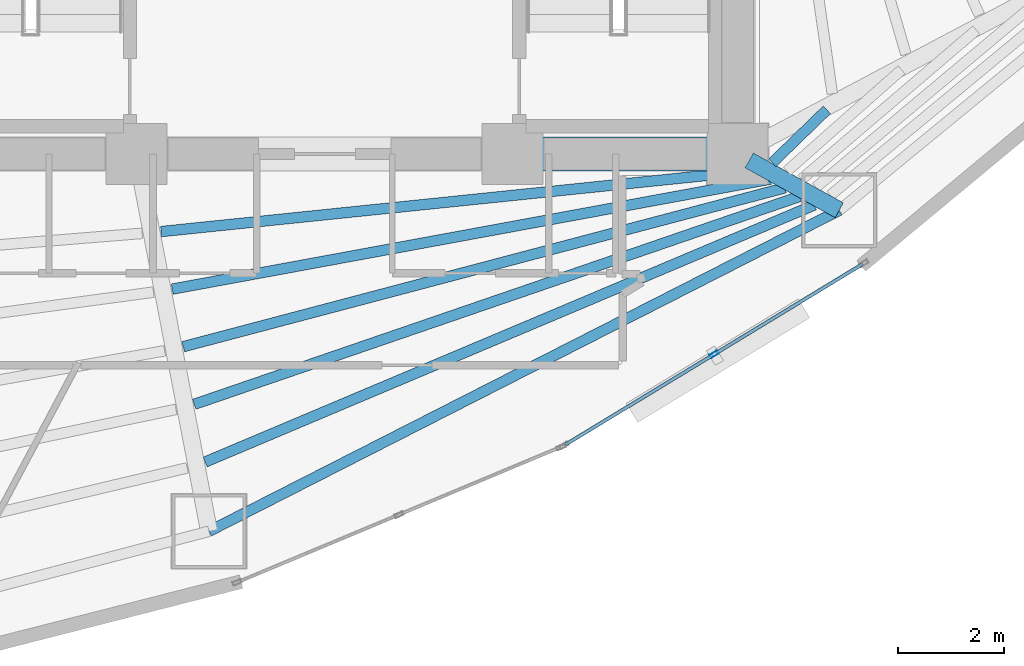
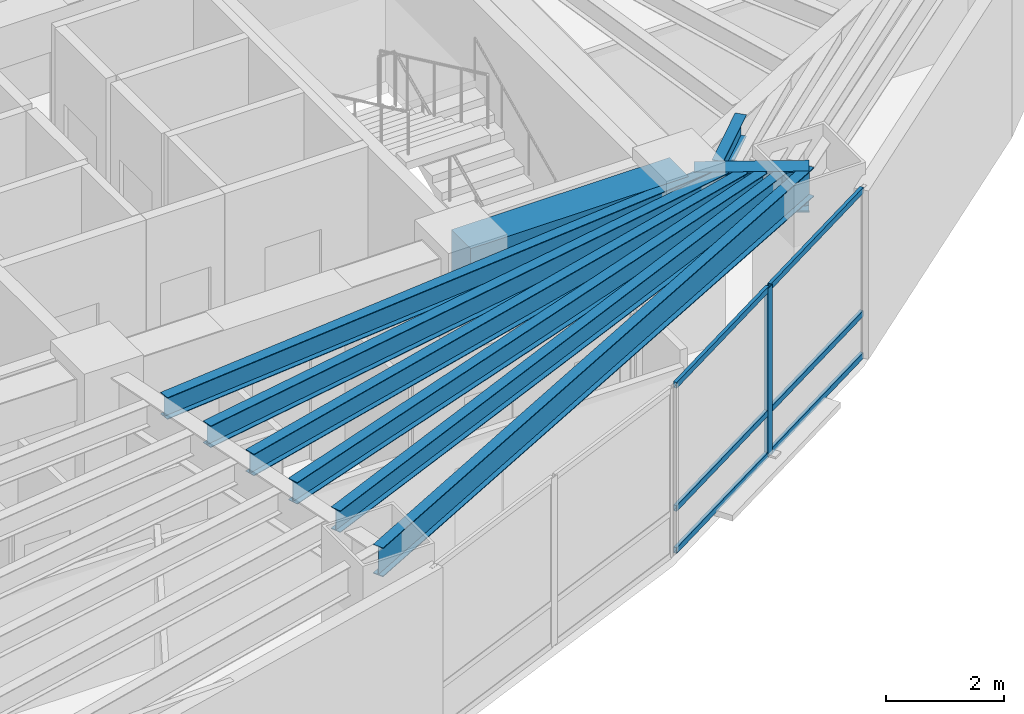
# One storey, part 5 of 18: 9 beams, 7 members, 1 element without a shape of its own.
"""IFC4 building model written with IfcOpenShell, lengths in metres."""

from ifc_helpers import new_model, si_unit, direction, frame, origin, origin_2d, place, context, subcontext, project, spatial, rectangle, hollow_rectangle, i_section, extrude, material, layer, layer_set, material_profile, profile_set, type_object, element, aggregate, save


model = new_model("IFC4")

# Units and contexts
model_context = context("Model", 3, precision=1e-05, world=origin(), true_north=direction((0.0, 1.0)))
body_context = subcontext(model_context, "Body", "Model", "MODEL_VIEW")
ifc_project = project(units=[si_unit("LENGTHUNIT", "METRE"), si_unit("AREAUNIT", "SQUARE_METRE"), si_unit("VOLUMEUNIT", "CUBIC_METRE"), si_unit("PLANEANGLEUNIT", "RADIAN"), si_unit("MASSUNIT", "GRAM", prefix="KILO")], contexts=[model_context])

# Site, building, storey
site_placement = place(None, origin())
site = spatial("IfcSite", under=ifc_project, at=site_placement, CompositionType="ELEMENT")
building_placement = place(site_placement, origin())
building = spatial("IfcBuilding", under=site, at=building_placement, Name="Menara Vayukalpa", CompositionType="ELEMENT")
storey_placement = place(building_placement, frame((0.0, 0.0, 31.320068359375)))
storey = spatial("IfcBuildingStorey", under=building, at=storey_placement, Name="L06", CompositionType="ELEMENT", Elevation=31.320068359375)

# Beams
ifc_material_1 = material(Name="Concrete C60/75", Category="concrete")
ifc_material_profile_1 = material_profile(ifc_material_1, rectangle(XDim=0.64990234375, YDim=0.85009765625, at=origin_2d()), Name="RC 650x850")
ifc_profile_set_1 = profile_set([ifc_material_profile_1], Name="Concrete C60/75")
beam_type_1 = type_object("IfcBeamType", Name="BM-CB1", PredefinedType="BEAM", material=ifc_profile_set_1)
beam_1_placement = place(storey_placement, frame((29.14990234375, 17.199951171875, 3.044921875), z_axis=(1.0, 0.0, 0.0), x_axis=(0.0, 1.0, 0.0)))
element("IfcBeam", 1, at=beam_1_placement, inside=storey, type_object=beam_type_1, Name="L06 Core Tie Beam CBR3", PredefinedType="BEAM", context=body_context, shape_type="SweptSolid", body=[
    extrude(rectangle(XDim=0.64990234375, YDim=0.85009765625, at=origin_2d()), origin(), (0.0, 0.0, 1.0), 4.25),
])
ifc_material_2 = material(Name="Steel S355", Category="steel")
ifc_material_profile_2 = material_profile(ifc_material_2, i_section(OverallWidth=0.320068359375, OverallDepth=0.85009765625, WebThickness=0.01611328125, FlangeThickness=0.030029296875, at=origin_2d()), Name="WF 850x320x16x30")
ifc_profile_set_2 = profile_set([ifc_material_profile_2], Name="Steel S355")
beam_type_2 = type_object("IfcBeamType", Name="BM-PG2", PredefinedType="BEAM", material=ifc_profile_set_2)
beam_2_placement = place(storey_placement, frame((33.61865234375, 17.078857421875, 3.044921875), z_axis=(0.87459548214, -0.484853320727, 0.0), x_axis=(0.484853320727, 0.87459548214, 0.0)))
element("IfcBeam", 2, at=beam_2_placement, inside=storey, type_object=beam_type_2, Name="L06 Primary Radial Girder RG09", PredefinedType="BEAM", context=body_context, shape_type="SweptSolid", body=[
    extrude(i_section(OverallWidth=0.320068359375, OverallDepth=0.85009765625, WebThickness=0.01611328125, FlangeThickness=0.030029296875, at=origin_2d()), origin(), (0.0, 0.0, 1.0), 1.943115234375),
])
ifc_material_3 = material(Name="Steel S355", Category="steel")
ifc_material_profile_3 = material_profile(ifc_material_3, i_section(OverallWidth=0.199951171875, OverallDepth=0.449951171875, WebThickness=0.009033203125, FlangeThickness=0.013916015625, at=origin_2d()), Name="WF 450x200x9x14")
ifc_profile_set_3 = profile_set([ifc_material_profile_3], Name="Steel S355")
beam_type_3 = type_object("IfcBeamType", Name="BM-SJ1", PredefinedType="JOIST", material=ifc_profile_set_3)
beam_3_placement = place(storey_placement, frame((22.514404296875, 15.735107421875, 3.244873046875), z_axis=(0.994746828953, 0.102365747631, 0.0), x_axis=(-0.102365747631, 0.994746828953, 0.0)))
element("IfcBeam", 3, at=beam_3_placement, inside=storey, type_object=beam_type_3, Name="L06 Secondary Floor Joist SJ08-1", PredefinedType="JOIST", context=body_context, shape_type="SweptSolid", body=[
    extrude(i_section(OverallWidth=0.199951171875, OverallDepth=0.449951171875, WebThickness=0.009033203125, FlangeThickness=0.013916015625, at=origin_2d()), origin(), (0.0, 0.0, 1.0), 11.29052734375),
])
beam_4_placement = place(storey_placement, frame((22.723876953125, 14.648681640625, 3.244873046875), z_axis=(0.983504975359, 0.180881075419, 0.0), x_axis=(-0.180881075419, 0.983504975359, 0.0)))
element("IfcBeam", 4, at=beam_4_placement, inside=storey, type_object=beam_type_3, Name="L06 Secondary Floor Joist SJ08-2", PredefinedType="JOIST", context=body_context, shape_type="SweptSolid", body=[
    extrude(i_section(OverallWidth=0.199951171875, OverallDepth=0.449951171875, WebThickness=0.009033203125, FlangeThickness=0.013916015625, at=origin_2d()), origin(), (0.0, 0.0, 1.0), 11.48486328125),
])
beam_5_placement = place(storey_placement, frame((22.932373046875, 13.561767578125, 3.244873046875), z_axis=(0.966863757537, 0.255292918746, 0.0), x_axis=(-0.255292918746, 0.966863757537, 0.0)))
element("IfcBeam", 5, at=beam_5_placement, inside=storey, type_object=beam_type_3, Name="L06 Secondary Floor Joist SJ08-3", PredefinedType="JOIST", context=body_context, shape_type="SweptSolid", body=[
    extrude(i_section(OverallWidth=0.199951171875, OverallDepth=0.449951171875, WebThickness=0.009033203125, FlangeThickness=0.013916015625, at=origin_2d()), origin(), (0.0, 0.0, 1.0), 11.751220703125),
])
beam_6_placement = place(storey_placement, frame((23.14013671875, 12.473876953125, 3.244873046875), z_axis=(0.945794261669, 0.324766400038, 0.0), x_axis=(-0.324766400038, 0.945794261669, 0.0)))
element("IfcBeam", 6, at=beam_6_placement, inside=storey, type_object=beam_type_3, Name="L06 Secondary Floor Joist SJ08-4", PredefinedType="JOIST", context=body_context, shape_type="SweptSolid", body=[
    extrude(i_section(OverallWidth=0.199951171875, OverallDepth=0.449951171875, WebThickness=0.009033203125, FlangeThickness=0.013916015625, at=origin_2d()), origin(), (0.0, 0.0, 1.0), 12.0849609375),
])
beam_7_placement = place(storey_placement, frame((23.34716796875, 11.385009765625, 3.244873046875), z_axis=(0.921359344435, 0.38871192215, 0.0), x_axis=(-0.38871192215, 0.921359344435, 0.0)))
element("IfcBeam", 7, at=beam_7_placement, inside=storey, type_object=beam_type_3, Name="L06 Secondary Floor Joist SJ08-5", PredefinedType="JOIST", context=body_context, shape_type="SweptSolid", body=[
    extrude(i_section(OverallWidth=0.199951171875, OverallDepth=0.449951171875, WebThickness=0.009033203125, FlangeThickness=0.013916015625, at=origin_2d()), origin(), (0.0, 0.0, 1.0), 12.48046875),
])
beam_8_placement = place(storey_placement, frame((34.0537109375, 17.03466796875, 3.244873046875), z_axis=(0.717488193219, 0.696570665899, 0.0), x_axis=(-0.696570665899, 0.717488193219, 0.0)))
element("IfcBeam", 8, at=beam_8_placement, inside=storey, type_object=beam_type_3, Name="L06 Secondary Floor Joist SJ09-1", PredefinedType="JOIST", context=body_context, shape_type="SweptSolid", body=[
    extrude(i_section(OverallWidth=0.199951171875, OverallDepth=0.449951171875, WebThickness=0.009033203125, FlangeThickness=0.013916015625, at=origin_2d()), origin(), (0.0, 0.0, 1.0), 1.435546875),
])
ifc_material_4 = material(Name="Steel S355", Category="steel")
ifc_material_profile_4 = material_profile(ifc_material_4, i_section(OverallWidth=0.199951171875, OverallDepth=0.60009765625, WebThickness=0.010986328125, FlangeThickness=0.01708984375, at=origin_2d()), Name="WF 600x200x11x17")
ifc_profile_set_4 = profile_set([ifc_material_profile_4], Name="Steel S355")
beam_type_4 = type_object("IfcBeamType", Name="BM-SP1", PredefinedType="SPANDREL", material=ifc_profile_set_4)
beam_9_placement = place(storey_placement, frame((23.41943359375, 10.0771484375, 3.169921875), z_axis=(0.891100743313, 0.453805536841, 0.0), x_axis=(-0.453805536841, 0.891100743313, 0.0)))
element("IfcBeam", 9, at=beam_9_placement, inside=storey, type_object=beam_type_4, Name="L06 Perimeter Spandrel Beam SP08", PredefinedType="SPANDREL", context=body_context, shape_type="SweptSolid", body=[
    extrude(i_section(OverallWidth=0.199951171875, OverallDepth=0.60009765625, WebThickness=0.010986328125, FlangeThickness=0.01708984375, at=origin_2d()), origin(), (0.0, 0.0, 1.0), 13.352783203125),
])

# Curtain wall, members
ifc_material_5 = material(Name="Anodised Terracotta Aluminium Alloy 6063-T6", Category="masonry")
ifc_layer = layer(ifc_material_5, 0.1650390625)
ifc_layer_set = layer_set([ifc_layer], Name="Anodised Terracotta Aluminium Alloy 6063-T6")
curtain_wall_type = type_object("IfcCurtainWallType", Name="CW-CW2", PredefinedType="USERDEFINED", material=ifc_layer_set)
curtain_wall_placement = place(storey_placement, origin())
curtain_wall = element("IfcCurtainWall", 10, at=curtain_wall_placement, inside=storey, type_object=curtain_wall_type, Name="L06 Low Rise Terracotta Ribbon Curtain Wall CW2 17", ObjectType="UNITISED", PredefinedType="USERDEFINED")
ifc_material_6 = material(Name="Anodised Terracotta Aluminium Alloy 6063-T6", Category="masonry")
ifc_material_profile_5 = material_profile(ifc_material_6, hollow_rectangle(XDim=0.070068359375, YDim=0.1650390625, WallThickness=0.00390625, at=origin_2d()), Name="ALU 70x165x4")
ifc_profile_set_5 = profile_set([ifc_material_profile_5], Name="Anodised Terracotta Aluminium Alloy 6063-T6")
member_type_1 = type_object("IfcMemberType", Name="CWM-CW2", PredefinedType="MULLION", material=ifc_profile_set_5)
member_1_placement = place(storey_placement, frame((32.9560546875, 13.418701171875, 0.0), z_axis=(0.0, 0.0, 1.0), x_axis=(-0.519181964377, 0.854663727945, 0.0)))
member_1 = element("IfcMember", 11, at=member_1_placement, type_object=member_type_1, Name="CW2 mullion 2", PredefinedType="MULLION", context=body_context, shape_type="SweptSolid", body=[
    extrude(hollow_rectangle(XDim=0.070068359375, YDim=0.1650390625, WallThickness=0.00390625, at=origin_2d()), origin(), (0.0, 0.0, 1.0), 3.469970703125),
])
ifc_material_7 = material(Name="Anodised Terracotta Aluminium Alloy 6063-T6", Category="masonry")
ifc_material_profile_6 = material_profile(ifc_material_7, hollow_rectangle(XDim=0.06494140625, YDim=0.1201171875, WallThickness=0.00341796875, at=origin_2d()), Name="ALU 65x120x3.5")
ifc_profile_set_6 = profile_set([ifc_material_profile_6], Name="Anodised Terracotta Aluminium Alloy 6063-T6")
member_type_2 = type_object("IfcMemberType", Name="CWT-CW2", PredefinedType="USERDEFINED", material=ifc_profile_set_6)
member_2_placement = place(storey_placement, frame((30.155029296875, 11.717041015625, 0.032470703125), z_axis=(0.854676552714, 0.519160851992, 0.0), x_axis=(-0.519160851992, 0.854676552714, 0.0)))
member_2 = element("IfcMember", 12, at=member_2_placement, type_object=member_type_2, Name="CW2 transom 1.1", ObjectType="TRANSOM", PredefinedType="USERDEFINED", context=body_context, shape_type="SweptSolid", body=[
    extrude(hollow_rectangle(XDim=0.06494140625, YDim=0.1201171875, WallThickness=0.00341796875, at=origin_2d()), origin(), (0.0, 0.0, 1.0), 3.242431640625),
])
member_3_placement = place(storey_placement, frame((30.155029296875, 11.717041015625, 0.89990234375), z_axis=(0.854676552714, 0.519160851992, 0.0), x_axis=(-0.519160851992, 0.854676552714, 0.0)))
member_3 = element("IfcMember", 13, at=member_3_placement, type_object=member_type_2, Name="CW2 transom 1.2", ObjectType="TRANSOM", PredefinedType="USERDEFINED", context=body_context, shape_type="SweptSolid", body=[
    extrude(hollow_rectangle(XDim=0.06494140625, YDim=0.1201171875, WallThickness=0.00341796875, at=origin_2d()), origin(), (0.0, 0.0, 1.0), 3.242431640625),
])
member_4_placement = place(storey_placement, frame((30.155029296875, 11.717041015625, 3.4375), z_axis=(0.854676552714, 0.519160851992, 0.0), x_axis=(-0.519160851992, 0.854676552714, 0.0)))
member_4 = element("IfcMember", 14, at=member_4_placement, type_object=member_type_2, Name="CW2 transom 1.3", ObjectType="TRANSOM", PredefinedType="USERDEFINED", context=body_context, shape_type="SweptSolid", body=[
    extrude(hollow_rectangle(XDim=0.06494140625, YDim=0.1201171875, WallThickness=0.00341796875, at=origin_2d()), origin(), (0.0, 0.0, 1.0), 3.242431640625),
])
member_5_placement = place(storey_placement, frame((32.986083984375, 13.436767578125, 0.032470703125), z_axis=(0.854643142641, 0.519215849851, 0.0), x_axis=(-0.519215849851, 0.854643142641, 0.0)))
member_5 = element("IfcMember", 15, at=member_5_placement, type_object=member_type_2, Name="CW2 transom 2.1", ObjectType="TRANSOM", PredefinedType="USERDEFINED", context=body_context, shape_type="SweptSolid", body=[
    extrude(hollow_rectangle(XDim=0.06494140625, YDim=0.1201171875, WallThickness=0.00341796875, at=origin_2d()), origin(), (0.0, 0.0, 1.0), 3.24267578125),
])
member_6_placement = place(storey_placement, frame((32.986083984375, 13.436767578125, 0.89990234375), z_axis=(0.854643142641, 0.519215849851, 0.0), x_axis=(-0.519215849851, 0.854643142641, 0.0)))
member_6 = element("IfcMember", 16, at=member_6_placement, type_object=member_type_2, Name="CW2 transom 2.2", ObjectType="TRANSOM", PredefinedType="USERDEFINED", context=body_context, shape_type="SweptSolid", body=[
    extrude(hollow_rectangle(XDim=0.06494140625, YDim=0.1201171875, WallThickness=0.00341796875, at=origin_2d()), origin(), (0.0, 0.0, 1.0), 3.24267578125),
])
member_7_placement = place(storey_placement, frame((32.986083984375, 13.436767578125, 3.4375), z_axis=(0.854643142641, 0.519215849851, 0.0), x_axis=(-0.519215849851, 0.854643142641, 0.0)))
member_7 = element("IfcMember", 17, at=member_7_placement, type_object=member_type_2, Name="CW2 transom 2.3", ObjectType="TRANSOM", PredefinedType="USERDEFINED", context=body_context, shape_type="SweptSolid", body=[
    extrude(hollow_rectangle(XDim=0.06494140625, YDim=0.1201171875, WallThickness=0.00341796875, at=origin_2d()), origin(), (0.0, 0.0, 1.0), 3.24267578125),
])
aggregate(curtain_wall, [member_1, member_2, member_3, member_4, member_5, member_6, member_7])

save(model, "model.ifc")
